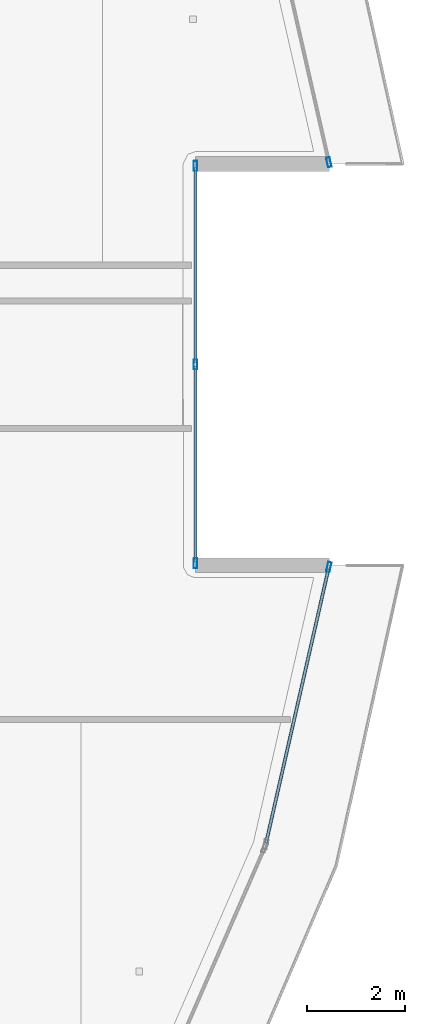
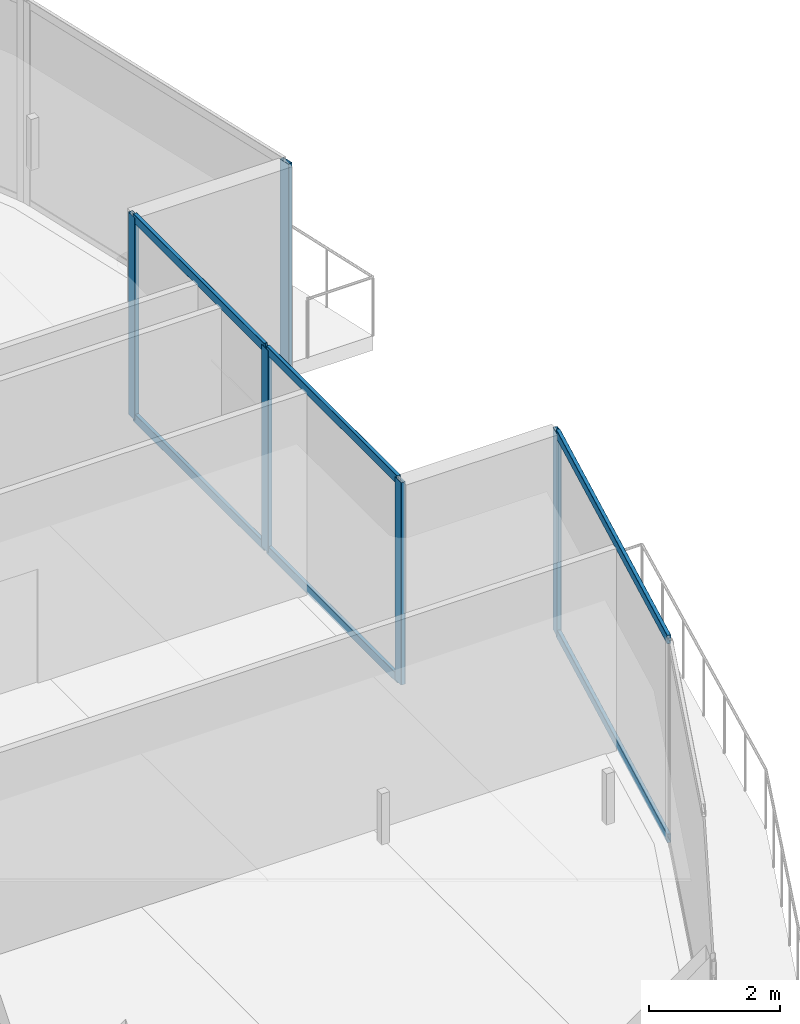
# One storey, part 11 of 32: 11 members, 3 elements without a shape of their own.
"""IFC4 building model written with IfcOpenShell, lengths in metres."""

from ifc_helpers import new_model, si_unit, direction, frame, origin, origin_2d, place, context, subcontext, project, spatial, hollow_rectangle, extrude, material, layer, layer_set, material_profile, profile_set, type_object, element, aggregate, save


model = new_model("IFC4")

# Units and contexts
model_context = context("Model", 3, precision=1e-05, world=origin(), true_north=direction((0.0, 1.0)))
body_context = subcontext(model_context, "Body", "Model", "MODEL_VIEW")
ifc_project = project(units=[si_unit("LENGTHUNIT", "METRE"), si_unit("AREAUNIT", "SQUARE_METRE"), si_unit("VOLUMEUNIT", "CUBIC_METRE"), si_unit("PLANEANGLEUNIT", "RADIAN"), si_unit("MASSUNIT", "GRAM", prefix="KILO")], contexts=[model_context])

# Site, building, storey
site_placement = place(None, origin())
site = spatial("IfcSite", under=ifc_project, at=site_placement, CompositionType="ELEMENT")
building_placement = place(site_placement, origin())
building = spatial("IfcBuilding", under=site, at=building_placement, Name="Qorvath Tower", CompositionType="ELEMENT")
storey_placement = place(building_placement, frame((0.0, 0.0, 233.39990234375)))
storey = spatial("IfcBuildingStorey", under=building, at=storey_placement, Name="L54", CompositionType="ELEMENT", Elevation=233.39990234375)

# Curtain wall, member
ifc_material_1 = material(Name="Anodised aluminium and triple low-E glass", Category="aluminium")
ifc_layer = layer(ifc_material_1, 0.179931640625)
ifc_layer_set = layer_set([ifc_layer], Name="CW-SYS-5")
curtain_wall_type = type_object("IfcCurtainWallType", Name="CW-SYS-5", PredefinedType="NOTDEFINED", material=ifc_layer_set)
curtain_wall_1_placement = place(storey_placement, origin())
curtain_wall_1 = element("IfcCurtainWall", 1, at=curtain_wall_1_placement, inside=storey, type_object=curtain_wall_type, Name="Curtain Wall CW-5 CW-T-L54-9.1", PredefinedType="NOTDEFINED")
ifc_material_2 = material(Name="Anodised aluminium 6063-T6", Category="aluminium")
ifc_material_profile_1 = material_profile(ifc_material_2, hollow_rectangle(XDim=0.074951171875, YDim=0.199951171875, WallThickness=0.00390625, InnerFilletRadius=0.00390625, OuterFilletRadius=0.008056640625, at=origin_2d()), Name="CWM 200x75")
ifc_profile_set_1 = profile_set([ifc_material_profile_1], Name="Anodised aluminium 6063-T6")
member_type_1 = type_object("IfcMemberType", Name="CWM-200", PredefinedType="MULLION", material=ifc_profile_set_1)
member_1_placement = place(storey_placement, frame((0.159423828125, -4.1513671875, 0.0), z_axis=(0.0, 0.0, 1.0), x_axis=(-0.975037173258, 0.222041687, 0.0)))
member_1 = element("IfcMember", 2, at=member_1_placement, type_object=member_type_1, Name="CW-5 mullion 2", PredefinedType="MULLION", context=body_context, shape_type="SweptSolid", body=[
    extrude(hollow_rectangle(XDim=0.074951171875, YDim=0.199951171875, WallThickness=0.00390625, InnerFilletRadius=0.00390625, OuterFilletRadius=0.008056640625, at=origin_2d()), origin(), (0.0, 0.0, 1.0), 3.780029296875),
])

# Curtain wall, members
curtain_wall_2_placement = place(storey_placement, origin())
curtain_wall_2 = element("IfcCurtainWall", 3, at=curtain_wall_2_placement, inside=storey, type_object=curtain_wall_type, Name="Curtain Wall CW-5 CW-T-L54-11.1", PredefinedType="NOTDEFINED")
member_2_placement = place(storey_placement, frame((-2.575439453125, -4.0771484375, 0.0), z_axis=(0.0, 0.0, 1.0), x_axis=(-1.0, 0.0, 0.0)))
member_2 = element("IfcMember", 4, at=member_2_placement, type_object=member_type_1, Name="CW-5 mullion 1", PredefinedType="MULLION", context=body_context, shape_type="SweptSolid", body=[
    extrude(hollow_rectangle(XDim=0.074951171875, YDim=0.199951171875, WallThickness=0.00390625, InnerFilletRadius=0.00390625, OuterFilletRadius=0.008056640625, at=origin_2d()), origin(), (0.0, 0.0, 1.0), 3.780029296875),
])
member_3_placement = place(storey_placement, frame((-2.575439453125, 0.0, 0.0), z_axis=(0.0, 0.0, 1.0), x_axis=(-1.0, 0.0, 0.0)))
member_3 = element("IfcMember", 5, at=member_3_placement, type_object=member_type_1, Name="CW-5 mullion 2", PredefinedType="MULLION", context=body_context, shape_type="SweptSolid", body=[
    extrude(hollow_rectangle(XDim=0.074951171875, YDim=0.199951171875, WallThickness=0.00390625, InnerFilletRadius=0.00390625, OuterFilletRadius=0.008056640625, at=origin_2d()), origin(), (0.0, 0.0, 1.0), 3.780029296875),
])
member_4_placement = place(storey_placement, frame((-2.575439453125, 4.0771484375, 0.0), z_axis=(0.0, 0.0, 1.0), x_axis=(-1.0, 0.0, 0.0)))
member_4 = element("IfcMember", 6, at=member_4_placement, type_object=member_type_1, Name="CW-5 mullion 3", PredefinedType="MULLION", context=body_context, shape_type="SweptSolid", body=[
    extrude(hollow_rectangle(XDim=0.074951171875, YDim=0.199951171875, WallThickness=0.00390625, InnerFilletRadius=0.00390625, OuterFilletRadius=0.008056640625, at=origin_2d()), origin(), (0.0, 0.0, 1.0), 3.780029296875),
])

# Curtain wall, member
curtain_wall_3_placement = place(storey_placement, origin())
curtain_wall_3 = element("IfcCurtainWall", 7, at=curtain_wall_3_placement, inside=storey, type_object=curtain_wall_type, Name="Curtain Wall CW-5 CW-T-L54-13.1", PredefinedType="NOTDEFINED")
member_5_placement = place(storey_placement, frame((0.159423828125, 4.1513671875, 0.0), z_axis=(0.0, 0.0, 1.0), x_axis=(-0.975037173258, -0.222041687, 0.0)))
member_5 = element("IfcMember", 8, at=member_5_placement, type_object=member_type_1, Name="CW-5 mullion 1", PredefinedType="MULLION", context=body_context, shape_type="SweptSolid", body=[
    extrude(hollow_rectangle(XDim=0.074951171875, YDim=0.199951171875, WallThickness=0.00390625, InnerFilletRadius=0.00390625, OuterFilletRadius=0.008056640625, at=origin_2d()), origin(), (0.0, 0.0, 1.0), 3.780029296875),
])
aggregate(curtain_wall_3, [member_5])

# Member
ifc_material_3 = material(Name="Anodised aluminium 6063-T6", Category="aluminium")
ifc_material_profile_2 = material_profile(ifc_material_3, hollow_rectangle(XDim=0.06494140625, YDim=0.159912109375, WallThickness=0.00341796875, InnerFilletRadius=0.00341796875, OuterFilletRadius=0.007080078125, at=origin_2d()), Name="CWT 160x65")
ifc_profile_set_2 = profile_set([ifc_material_profile_2], Name="Anodised aluminium 6063-T6")
member_type_2 = type_object("IfcMemberType", Name="CWT-160", PredefinedType="USERDEFINED", material=ifc_profile_set_2)
member_6_placement = place(storey_placement, frame((-1.127685546875, -9.802978515625, 0.032470703125), z_axis=(0.222053505052, 0.9750344819, 0.0), x_axis=(-0.9750344819, 0.222053505052, 0.0)))
member_6 = element("IfcMember", 9, at=member_6_placement, type_object=member_type_2, Name="CW-5 transom 1.1", ObjectType="TRANSOM", PredefinedType="USERDEFINED", context=body_context, shape_type="SweptSolid", body=[
    extrude(hollow_rectangle(XDim=0.06494140625, YDim=0.159912109375, WallThickness=0.00341796875, InnerFilletRadius=0.00341796875, OuterFilletRadius=0.007080078125, at=origin_2d()), origin(), (0.0, 0.0, 1.0), 5.759033203125),
])

member_7_placement = place(storey_placement, frame((-1.127685546875, -9.802978515625, 3.74755859375), z_axis=(0.222053505052, 0.9750344819, 0.0), x_axis=(-0.9750344819, 0.222053505052, 0.0)))
member_7 = element("IfcMember", 10, at=member_7_placement, type_object=member_type_2, Name="CW-5 transom 1.2", ObjectType="TRANSOM", PredefinedType="USERDEFINED", context=body_context, shape_type="SweptSolid", body=[
    extrude(hollow_rectangle(XDim=0.06494140625, YDim=0.159912109375, WallThickness=0.00341796875, InnerFilletRadius=0.00341796875, OuterFilletRadius=0.007080078125, at=origin_2d()), origin(), (0.0, 0.0, 1.0), 5.759033203125),
])

aggregate(curtain_wall_1, [member_1, member_6, member_7])

member_8_placement = place(storey_placement, frame((-2.575439453125, -4.039794921875, 0.032470703125), z_axis=(0.0, 1.0, 0.0), x_axis=(-1.0, 0.0, 0.0)))
member_8 = element("IfcMember", 11, at=member_8_placement, type_object=member_type_2, Name="CW-5 transom 1.1", ObjectType="TRANSOM", PredefinedType="USERDEFINED", context=body_context, shape_type="SweptSolid", body=[
    extrude(hollow_rectangle(XDim=0.06494140625, YDim=0.159912109375, WallThickness=0.00341796875, InnerFilletRadius=0.00341796875, OuterFilletRadius=0.007080078125, at=origin_2d()), origin(), (0.0, 0.0, 1.0), 4.002197265625),
])

member_9_placement = place(storey_placement, frame((-2.575439453125, -4.039794921875, 3.74755859375), z_axis=(0.0, 1.0, 0.0), x_axis=(-1.0, 0.0, 0.0)))
member_9 = element("IfcMember", 12, at=member_9_placement, type_object=member_type_2, Name="CW-5 transom 1.2", ObjectType="TRANSOM", PredefinedType="USERDEFINED", context=body_context, shape_type="SweptSolid", body=[
    extrude(hollow_rectangle(XDim=0.06494140625, YDim=0.159912109375, WallThickness=0.00341796875, InnerFilletRadius=0.00341796875, OuterFilletRadius=0.007080078125, at=origin_2d()), origin(), (0.0, 0.0, 1.0), 4.002197265625),
])

member_10_placement = place(storey_placement, frame((-2.575439453125, 0.03759765625, 0.032470703125), z_axis=(0.0, 1.0, 0.0), x_axis=(-1.0, 0.0, 0.0)))
member_10 = element("IfcMember", 13, at=member_10_placement, type_object=member_type_2, Name="CW-5 transom 2.1", ObjectType="TRANSOM", PredefinedType="USERDEFINED", context=body_context, shape_type="SweptSolid", body=[
    extrude(hollow_rectangle(XDim=0.06494140625, YDim=0.159912109375, WallThickness=0.00341796875, InnerFilletRadius=0.00341796875, OuterFilletRadius=0.007080078125, at=origin_2d()), origin(), (0.0, 0.0, 1.0), 4.002197265625),
])

member_11_placement = place(storey_placement, frame((-2.575439453125, 0.03759765625, 3.74755859375), z_axis=(0.0, 1.0, 0.0), x_axis=(-1.0, 0.0, 0.0)))
member_11 = element("IfcMember", 14, at=member_11_placement, type_object=member_type_2, Name="CW-5 transom 2.2", ObjectType="TRANSOM", PredefinedType="USERDEFINED", context=body_context, shape_type="SweptSolid", body=[
    extrude(hollow_rectangle(XDim=0.06494140625, YDim=0.159912109375, WallThickness=0.00341796875, InnerFilletRadius=0.00341796875, OuterFilletRadius=0.007080078125, at=origin_2d()), origin(), (0.0, 0.0, 1.0), 4.002197265625),
])

aggregate(curtain_wall_2, [member_2, member_3, member_4, member_8, member_9, member_10, member_11])

save(model, "model.ifc")
